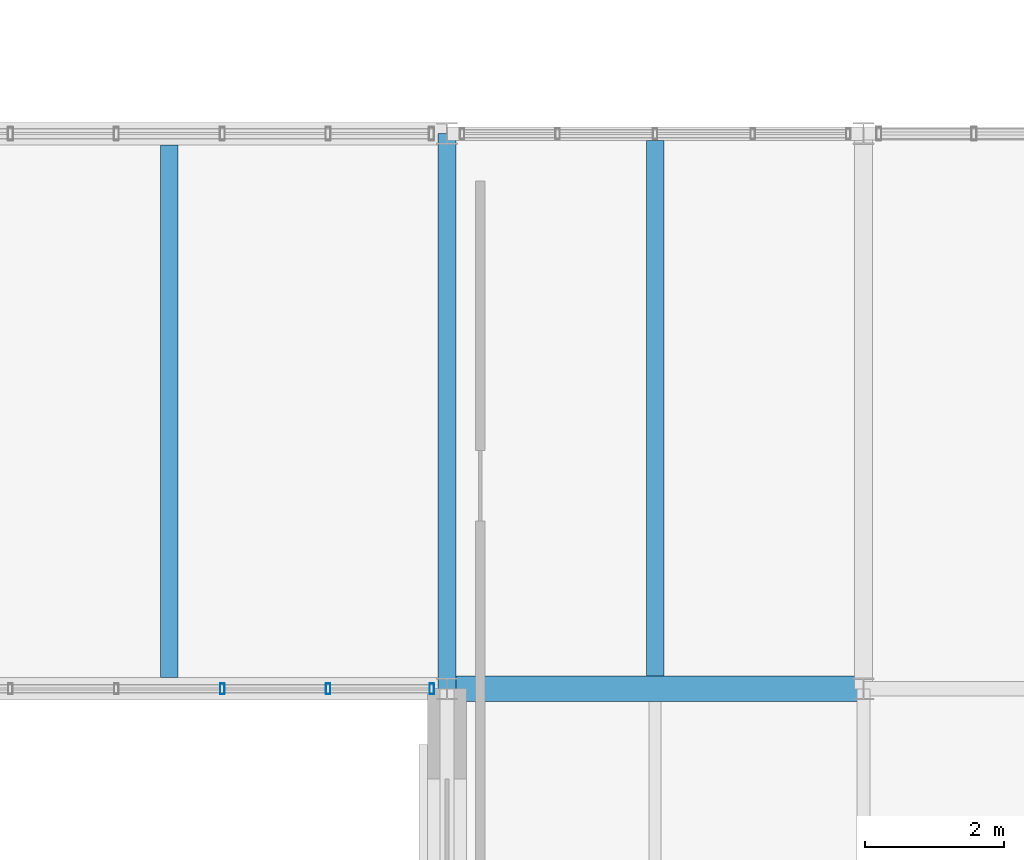
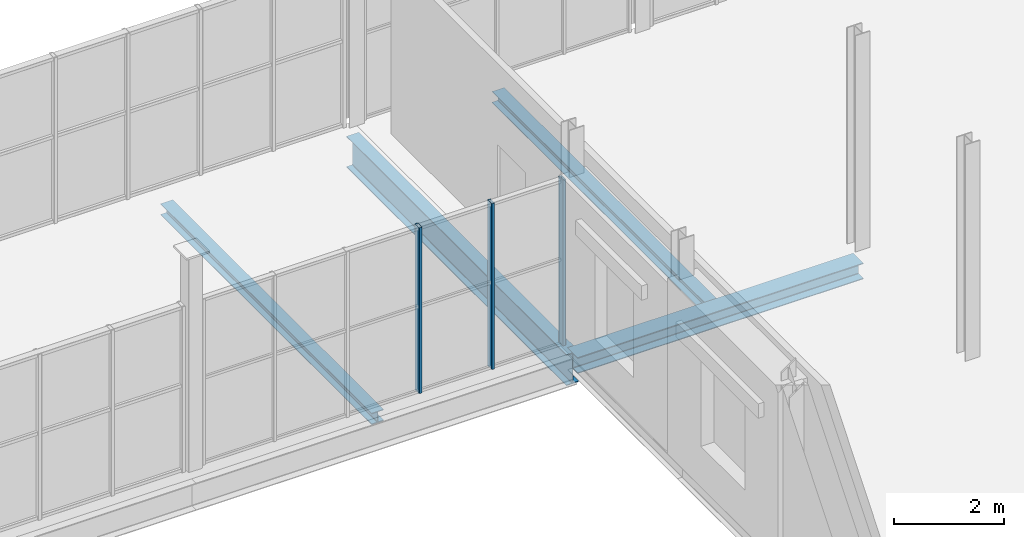
# One storey, part 71 of 114: 4 beams, 3 members, 1 element without a shape of its own.
"""IFC4 building model written with IfcOpenShell, lengths in metres."""

from ifc_helpers import new_model, si_unit, direction, frame, origin, origin_2d, place, context, subcontext, project, spatial, hollow_rectangle, i_section, extrude, material, material_profile, profile_set, type_object, element, aggregate, save


model = new_model("IFC4")

# Units and contexts
model_context = context("Model", 3, precision=1e-05, world=origin(), true_north=direction((0.0, 1.0)))
body_context = subcontext(model_context, "Body", "Model", "MODEL_VIEW")
ifc_project = project(units=[si_unit("LENGTHUNIT", "METRE"), si_unit("AREAUNIT", "SQUARE_METRE"), si_unit("VOLUMEUNIT", "CUBIC_METRE"), si_unit("PLANEANGLEUNIT", "RADIAN"), si_unit("MASSUNIT", "GRAM", prefix="KILO")], contexts=[model_context])

# Site, building, storey
site_placement = place(None, origin())
site = spatial("IfcSite", under=ifc_project, at=site_placement, CompositionType="ELEMENT")
building_placement = place(site_placement, origin())
building = spatial("IfcBuilding", under=site, at=building_placement, Name="Verrall Gate Interchange", CompositionType="ELEMENT")
storey_placement = place(building_placement, frame((0.0, 0.0, 6.60009765625)))
storey = spatial("IfcBuildingStorey", under=building, at=storey_placement, Name="L02", CompositionType="ELEMENT", Elevation=6.60009765625)

# Beams
ifc_material_1 = material(Name="Structural Steel CSA G40.21 350WT Cat 4", Category="steel")
ifc_material_profile_1 = material_profile(ifc_material_1, i_section(OverallWidth=0.256103515625, OverallDepth=0.693115234375, WebThickness=0.01318359375, FlangeThickness=0.02001953125, FilletRadius=0.01611328125, at=origin_2d()), Name="W690x170")
ifc_profile_set_1 = profile_set([ifc_material_profile_1], Name="Structural Steel CSA G40.21 350WT Cat 4")
beam_type_1 = type_object("IfcBeamType", Name="B-07 Structural Beam W690x170", PredefinedType="BEAM", material=ifc_profile_set_1)
beam_1_placement = place(storey_placement, frame((132.0, 48.0, -0.626708984375), z_axis=(0.0, 1.0, 0.0), x_axis=(-1.0, 0.0, 0.0)))
element("IfcBeam", 1, at=beam_1_placement, inside=storey, type_object=beam_type_1, Name="L02 Girder BM-L02-1790 (B-07)", PredefinedType="BEAM", context=body_context, shape_type="SweptSolid", body=[
    extrude(i_section(OverallWidth=0.256103515625, OverallDepth=0.693115234375, WebThickness=0.01318359375, FlangeThickness=0.02001953125, FilletRadius=0.01611328125, at=origin_2d()), origin(), (0.0, 0.0, 1.0), 8.0),
])
ifc_material_2 = material(Name="Structural Steel CSA G40.21 350W", Category="steel")
ifc_material_profile_2 = material_profile(ifc_material_2, i_section(OverallWidth=0.368896484375, OverallDepth=0.35595703125, WebThickness=0.01123046875, FlangeThickness=0.01806640625, FilletRadius=0.014892578125, at=origin_2d()), Name="W360x134")
ifc_profile_set_2 = profile_set([ifc_material_profile_2], Name="Structural Steel CSA G40.21 350W")
beam_type_2 = type_object("IfcBeamType", Name="B-13 Structural Beam W360x134", PredefinedType="BEAM", material=ifc_profile_set_2)
beam_2_placement = place(storey_placement, frame((132.0, 48.0, -0.4580078125), z_axis=(1.0, 0.0, 0.0), x_axis=(0.0, 1.0, 0.0)))
element("IfcBeam", 2, at=beam_2_placement, inside=storey, type_object=beam_type_2, Name="L02 Girder BM-L02-1582 (B-13)", PredefinedType="BEAM", context=body_context, shape_type="SweptSolid", body=[
    extrude(i_section(OverallWidth=0.368896484375, OverallDepth=0.35595703125, WebThickness=0.01123046875, FlangeThickness=0.01806640625, FilletRadius=0.014892578125, at=origin_2d()), origin(), (0.0, 0.0, 1.0), 6.0),
])

# Curtain wall, members
ifc_material_3 = material(Name="Thermally Broken Anodized Aluminium Curtain Wall Framing", Category="aluminium")
curtain_wall_type = type_object("IfcCurtainWallType", Name="CW-21 Unitized Curtain Wall 7631x3680", PredefinedType="NOTDEFINED", material=ifc_material_3)
curtain_wall_placement = place(storey_placement, origin())
curtain_wall = element("IfcCurtainWall", 3, at=curtain_wall_placement, inside=storey, type_object=curtain_wall_type, Name="L02 Unitized Curtain Wall CW-L02-072", PredefinedType="NOTDEFINED")
ifc_material_4 = material(Name="Thermally Broken Anodized Aluminium Curtain Wall Framing", Category="aluminium")
ifc_material_profile_3 = material_profile(ifc_material_4, hollow_rectangle(XDim=0.06494140625, YDim=0.159912109375, WallThickness=0.00390625, InnerFilletRadius=0.00390625, OuterFilletRadius=0.008056640625, at=origin_2d()), Name="CWM160x65x4")
ifc_profile_set_3 = profile_set([ifc_material_profile_3], Name="Thermally Broken Anodized Aluminium Curtain Wall Framing")
member_type = type_object("IfcMemberType", Name="CM-01 Curtain Mullion CWM160x65x4", PredefinedType="MULLION", material=ifc_profile_set_3)
member_1_placement = place(storey_placement, frame((128.762451171875, 48.0, 0.0), z_axis=(0.0, 0.0, 1.0), x_axis=(1.0, 0.0, 0.0)))
member_1 = element("IfcMember", 4, at=member_1_placement, type_object=member_type, Name="CW-L02-072 Mullion 4", PredefinedType="MULLION", context=body_context, shape_type="SweptSolid", body=[
    extrude(hollow_rectangle(XDim=0.06494140625, YDim=0.159912109375, WallThickness=0.00390625, InnerFilletRadius=0.00390625, OuterFilletRadius=0.008056640625, at=origin_2d()), origin(), (0.0, 0.0, 1.0), 3.679931640625),
])
member_2_placement = place(storey_placement, frame((130.28857421875, 48.0, 0.0), z_axis=(0.0, 0.0, 1.0), x_axis=(1.0, 0.0, 0.0)))
member_2 = element("IfcMember", 5, at=member_2_placement, type_object=member_type, Name="CW-L02-072 Mullion 5", PredefinedType="MULLION", context=body_context, shape_type="SweptSolid", body=[
    extrude(hollow_rectangle(XDim=0.06494140625, YDim=0.159912109375, WallThickness=0.00390625, InnerFilletRadius=0.00390625, OuterFilletRadius=0.008056640625, at=origin_2d()), origin(), (0.0, 0.0, 1.0), 3.679931640625),
])
member_3_placement = place(storey_placement, frame((131.781982421875, 48.0, 0.0), z_axis=(0.0, 0.0, 1.0), x_axis=(1.0, 0.0, 0.0)))
member_3 = element("IfcMember", 6, at=member_3_placement, type_object=member_type, Name="CW-L02-072 Mullion 6", PredefinedType="MULLION", context=body_context, shape_type="SweptSolid", body=[
    extrude(hollow_rectangle(XDim=0.06494140625, YDim=0.159912109375, WallThickness=0.00390625, InnerFilletRadius=0.00390625, OuterFilletRadius=0.008056640625, at=origin_2d()), origin(), (0.0, 0.0, 1.0), 3.679931640625),
])
aggregate(curtain_wall, [member_1, member_2, member_3])

# Beams
ifc_material_5 = material(Name="Structural Steel CSA G40.21 350W", Category="steel")
ifc_material_profile_4 = material_profile(ifc_material_5, i_section(OverallWidth=0.25390625, OverallDepth=0.2529296875, WebThickness=0.008544921875, FlangeThickness=0.01416015625, FilletRadius=0.011962890625, at=origin_2d()), Name="W250x73")
ifc_profile_set_4 = profile_set([ifc_material_profile_4], Name="Structural Steel CSA G40.21 350W")
beam_type_3 = type_object("IfcBeamType", Name="J-05 Floor Joist W250x73", PredefinedType="JOIST", material=ifc_profile_set_4)
beam_3_placement = place(storey_placement, frame((128.0, 48.162109375, -0.406494140625), z_axis=(0.0, 1.0, 0.0), x_axis=(-1.0, 0.0, 0.0)))
element("IfcBeam", 7, at=beam_3_placement, inside=storey, type_object=beam_type_3, Name="L02 Secondary Floor Joist JST-L02-1954", PredefinedType="JOIST", context=body_context, shape_type="SweptSolid", body=[
    extrude(i_section(OverallWidth=0.25390625, OverallDepth=0.2529296875, WebThickness=0.008544921875, FlangeThickness=0.01416015625, FilletRadius=0.011962890625, at=origin_2d()), origin(), (0.0, 0.0, 1.0), 7.67578125),
])
beam_4_placement = place(storey_placement, frame((135.0, 48.1845703125, -0.406494140625), z_axis=(0.0, 1.0, 0.0), x_axis=(-1.0, 0.0, 0.0)))
element("IfcBeam", 8, at=beam_4_placement, inside=storey, type_object=beam_type_3, Name="L02 Secondary Floor Joist JST-L02-1955", PredefinedType="JOIST", context=body_context, shape_type="SweptSolid", body=[
    extrude(i_section(OverallWidth=0.25390625, OverallDepth=0.2529296875, WebThickness=0.008544921875, FlangeThickness=0.01416015625, FilletRadius=0.011962890625, at=origin_2d()), origin(), (0.0, 0.0, 1.0), 7.719482421875),
])

save(model, "model.ifc")
